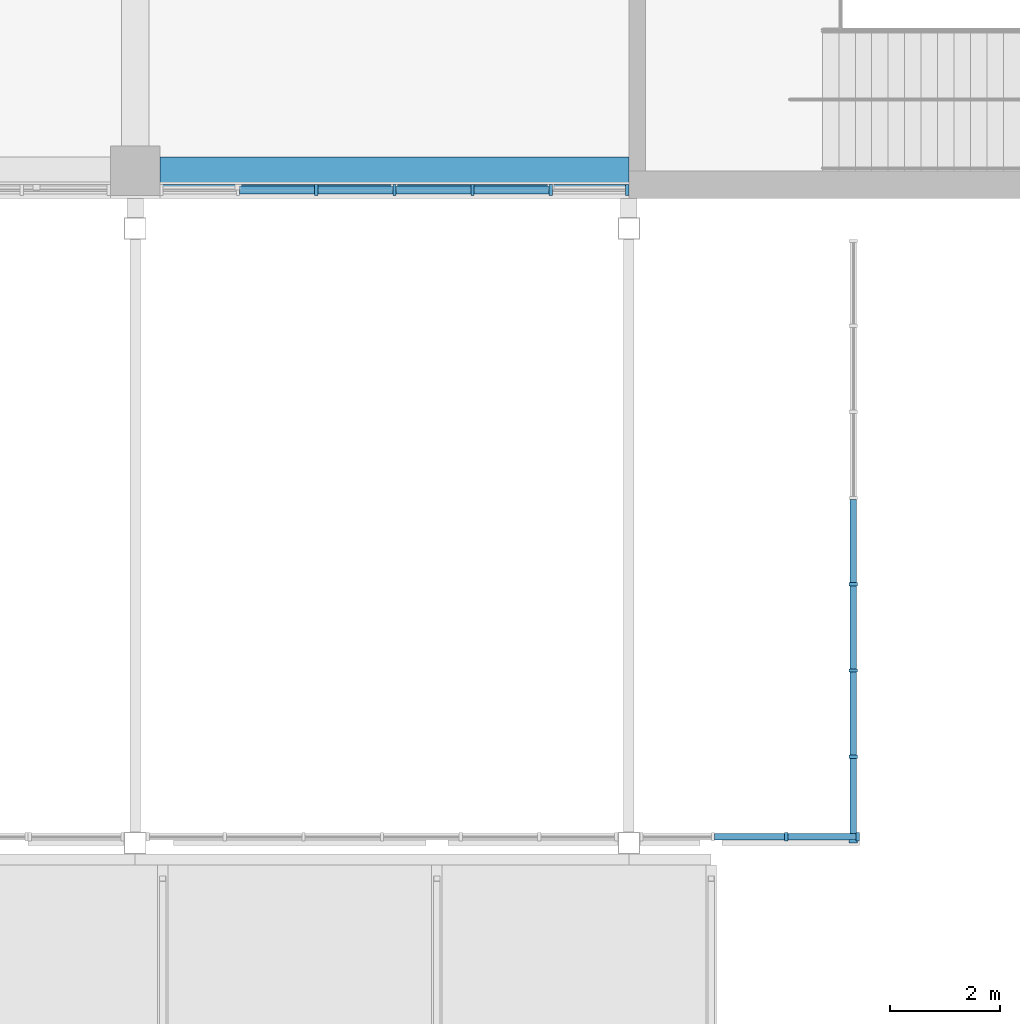
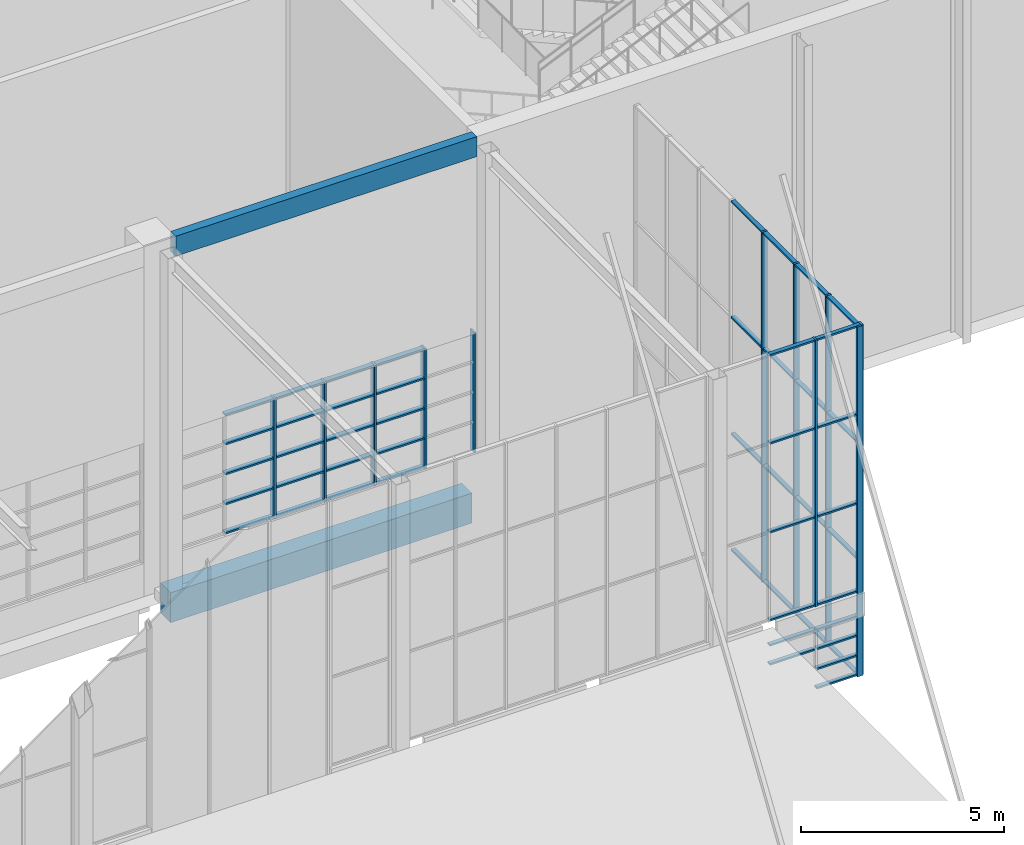
# One storey, part 39 of 182: 62 members, 2 beams, 4 elements without a shape of their own.
"""IFC4 building model written with IfcOpenShell, lengths in metres."""

from ifc_helpers import new_model, si_unit, direction, frame, origin, origin_2d, place, context, subcontext, project, spatial, rectangle, extrude, material, material_profile, profile_set, type_object, element, aggregate, save


model = new_model("IFC4")

# Units and contexts
model_context = context("Model", 3, precision=1e-05, world=origin(), true_north=direction((0.0, 1.0)))
body_context = subcontext(model_context, "Body", "Model", "MODEL_VIEW")
ifc_project = project(units=[si_unit("LENGTHUNIT", "METRE"), si_unit("AREAUNIT", "SQUARE_METRE"), si_unit("VOLUMEUNIT", "CUBIC_METRE"), si_unit("PLANEANGLEUNIT", "RADIAN"), si_unit("MASSUNIT", "GRAM", prefix="KILO")], contexts=[model_context])

# Site, building, storey
site_placement = place(None, origin())
site = spatial("IfcSite", under=ifc_project, at=site_placement, CompositionType="ELEMENT")
building_placement = place(site_placement, origin())
building = spatial("IfcBuilding", under=site, at=building_placement, Name="Silverbay Arena", CompositionType="ELEMENT")
storey_placement = place(building_placement, frame((0.0, 0.0, 11.5)))
storey = spatial("IfcBuildingStorey", under=building, at=storey_placement, Name="L02", CompositionType="ELEMENT", Elevation=11.5)

# Curtain wall, member
ifc_material_1 = material(Name="Aluminium framed curtain wall", Category="aluminium")
curtain_wall_type_1 = type_object("IfcCurtainWallType", Name="Curtain wall 4000 x 1800", PredefinedType="NOTDEFINED", material=ifc_material_1)
curtain_wall_1_placement = place(storey_placement, origin())
curtain_wall_1 = element("IfcCurtainWall", 1, at=curtain_wall_1_placement, inside=storey, type_object=curtain_wall_type_1, Name="South entrance hall S1 glazing F-b", PredefinedType="NOTDEFINED")
ifc_material_2 = material(Name="Aluminium", Category="aluminium")
ifc_material_profile_1 = material_profile(ifc_material_2, rectangle(XDim=0.159912109375, YDim=0.06005859375, at=origin_2d()), Name="Mullion 60 x 160")
ifc_profile_set_1 = profile_set([ifc_material_profile_1], Name="Aluminium")
member_type_1 = type_object("IfcMemberType", Name="Mullion 60 x 160", PredefinedType="MULLION", material=ifc_profile_set_1)
member_1_placement = place(storey_placement, frame((148.169921875, 5.860107421875, 0.0), z_axis=(0.0, 0.0, 1.0), x_axis=(0.0, 1.0, 0.0)))
member_1 = element("IfcMember", 2, at=member_1_placement, type_object=member_type_1, Name="CW33 mullion 4", PredefinedType="MULLION", context=body_context, shape_type="SweptSolid", body=[
    extrude(rectangle(XDim=0.159912109375, YDim=0.06005859375, at=origin_2d()), origin(), (0.0, 0.0, 1.0), 1.800048828125),
])

# Curtain wall, members
ifc_material_3 = material(Name="Aluminium framed curtain wall", Category="aluminium")
curtain_wall_type_2 = type_object("IfcCurtainWallType", Name="Curtain wall 4000 x 8000", PredefinedType="NOTDEFINED", material=ifc_material_3)
curtain_wall_2_placement = place(storey_placement, origin())
curtain_wall_2 = element("IfcCurtainWall", 3, at=curtain_wall_2_placement, inside=storey, type_object=curtain_wall_type_2, Name="South entrance hall S1 glazing F-b", PredefinedType="NOTDEFINED")
member_2_placement = place(storey_placement, frame((146.86669921875, 5.860107421875, 2.5), z_axis=(0.0, 0.0, 1.0), x_axis=(0.0, 1.0, 0.0)))
member_2 = element("IfcMember", 4, at=member_2_placement, type_object=member_type_1, Name="CW34 mullion 3", PredefinedType="MULLION", context=body_context, shape_type="SweptSolid", body=[
    extrude(rectangle(XDim=0.159912109375, YDim=0.06005859375, at=origin_2d()), origin(), (0.0, 0.0, 1.0), 8.0),
])
member_3_placement = place(storey_placement, frame((148.169921875, 5.860107421875, 2.5), z_axis=(0.0, 0.0, 1.0), x_axis=(0.0, 1.0, 0.0)))
member_3 = element("IfcMember", 5, at=member_3_placement, type_object=member_type_1, Name="CW34 mullion 4", PredefinedType="MULLION", context=body_context, shape_type="SweptSolid", body=[
    extrude(rectangle(XDim=0.159912109375, YDim=0.06005859375, at=origin_2d()), origin(), (0.0, 0.0, 1.0), 8.0),
])

ifc_material_4 = material(Name="Aluminium framed curtain wall", Category="aluminium")
curtain_wall_type_3 = type_object("IfcCurtainWallType", Name="Curtain wall 11000 x 10500", PredefinedType="NOTDEFINED", material=ifc_material_4)
curtain_wall_3_placement = place(storey_placement, origin())
curtain_wall_3 = element("IfcCurtainWall", 6, at=curtain_wall_3_placement, inside=storey, type_object=curtain_wall_type_3, Name="South entrance hall S1 glazing SB", PredefinedType="NOTDEFINED")
member_4_placement = place(storey_placement, frame((148.090087890625, 5.780029296875, 0.0), z_axis=(0.0, 0.0, 1.0), x_axis=(-1.0, 0.0, 0.0)))
member_4 = element("IfcMember", 7, at=member_4_placement, type_object=member_type_1, Name="CW37 mullion 1", PredefinedType="MULLION", context=body_context, shape_type="SweptSolid", body=[
    extrude(rectangle(XDim=0.159912109375, YDim=0.06005859375, at=origin_2d()), origin(), (0.0, 0.0, 1.0), 10.5),
])
member_5_placement = place(storey_placement, frame((148.090087890625, 7.321533203125, 0.0), z_axis=(0.0, 0.0, 1.0), x_axis=(-1.0, 0.0, 0.0)))
member_5 = element("IfcMember", 8, at=member_5_placement, type_object=member_type_1, Name="CW37 mullion 2", PredefinedType="MULLION", context=body_context, shape_type="SweptSolid", body=[
    extrude(rectangle(XDim=0.159912109375, YDim=0.06005859375, at=origin_2d()), origin(), (0.0, 0.0, 1.0), 10.5),
])
member_6_placement = place(storey_placement, frame((148.090087890625, 8.892822265625, 0.0), z_axis=(0.0, 0.0, 1.0), x_axis=(-1.0, 0.0, 0.0)))
member_6 = element("IfcMember", 9, at=member_6_placement, type_object=member_type_1, Name="CW37 mullion 3", PredefinedType="MULLION", context=body_context, shape_type="SweptSolid", body=[
    extrude(rectangle(XDim=0.159912109375, YDim=0.06005859375, at=origin_2d()), origin(), (0.0, 0.0, 1.0), 10.5),
])
member_7_placement = place(storey_placement, frame((148.090087890625, 10.46435546875, 0.0), z_axis=(0.0, 0.0, 1.0), x_axis=(-1.0, 0.0, 0.0)))
member_7 = element("IfcMember", 10, at=member_7_placement, type_object=member_type_1, Name="CW37 mullion 4", PredefinedType="MULLION", context=body_context, shape_type="SweptSolid", body=[
    extrude(rectangle(XDim=0.159912109375, YDim=0.06005859375, at=origin_2d()), origin(), (0.0, 0.0, 1.0), 10.5),
])

ifc_material_5 = material(Name="Aluminium framed curtain wall", Category="aluminium")
curtain_wall_type_4 = type_object("IfcCurtainWallType", Name="Curtain wall 8550 x 3600", PredefinedType="NOTDEFINED", material=ifc_material_5)
curtain_wall_4_placement = place(storey_placement, origin())
curtain_wall_4 = element("IfcCurtainWall", 11, at=curtain_wall_4_placement, inside=storey, type_object=curtain_wall_type_4, Name="South curtain wall L02 bay 10", PredefinedType="NOTDEFINED")
ifc_material_6 = material(Name="Aluminium", Category="aluminium")
ifc_material_profile_2 = material_profile(ifc_material_6, rectangle(XDim=0.199951171875, YDim=0.06005859375, at=origin_2d()), Name="Mullion 60 x 200")
ifc_profile_set_2 = profile_set([ifc_material_profile_2], Name="Aluminium")
member_type_2 = type_object("IfcMemberType", Name="Mullion 60 x 200", PredefinedType="MULLION", material=ifc_profile_set_2)
member_8_placement = place(storey_placement, frame((138.300048828125, 17.64990234375, 1.0), z_axis=(0.0, 0.0, 1.0), x_axis=(0.0, 1.0, 0.0)))
member_8 = element("IfcMember", 12, at=member_8_placement, type_object=member_type_2, Name="CW10 mullion 3", PredefinedType="MULLION", context=body_context, shape_type="SweptSolid", body=[
    extrude(rectangle(XDim=0.199951171875, YDim=0.06005859375, at=origin_2d()), origin(), (0.0, 0.0, 1.0), 3.60009765625),
])
member_9_placement = place(storey_placement, frame((139.72509765625, 17.64990234375, 1.0), z_axis=(0.0, 0.0, 1.0), x_axis=(0.0, 1.0, 0.0)))
member_9 = element("IfcMember", 13, at=member_9_placement, type_object=member_type_2, Name="CW10 mullion 4", PredefinedType="MULLION", context=body_context, shape_type="SweptSolid", body=[
    extrude(rectangle(XDim=0.199951171875, YDim=0.06005859375, at=origin_2d()), origin(), (0.0, 0.0, 1.0), 3.60009765625),
])
member_10_placement = place(storey_placement, frame((141.14990234375, 17.64990234375, 1.0), z_axis=(0.0, 0.0, 1.0), x_axis=(0.0, 1.0, 0.0)))
member_10 = element("IfcMember", 14, at=member_10_placement, type_object=member_type_2, Name="CW10 mullion 5", PredefinedType="MULLION", context=body_context, shape_type="SweptSolid", body=[
    extrude(rectangle(XDim=0.199951171875, YDim=0.06005859375, at=origin_2d()), origin(), (0.0, 0.0, 1.0), 3.60009765625),
])
member_11_placement = place(storey_placement, frame((142.574951171875, 17.64990234375, 1.0), z_axis=(0.0, 0.0, 1.0), x_axis=(0.0, 1.0, 0.0)))
member_11 = element("IfcMember", 15, at=member_11_placement, type_object=member_type_2, Name="CW10 mullion 6", PredefinedType="MULLION", context=body_context, shape_type="SweptSolid", body=[
    extrude(rectangle(XDim=0.199951171875, YDim=0.06005859375, at=origin_2d()), origin(), (0.0, 0.0, 1.0), 3.60009765625),
])
member_12_placement = place(storey_placement, frame((143.969970703125, 17.64990234375, 1.0), z_axis=(0.0, 0.0, 1.0), x_axis=(0.0, 1.0, 0.0)))
member_12 = element("IfcMember", 16, at=member_12_placement, type_object=member_type_2, Name="CW10 mullion 7", PredefinedType="MULLION", context=body_context, shape_type="SweptSolid", body=[
    extrude(rectangle(XDim=0.199951171875, YDim=0.06005859375, at=origin_2d()), origin(), (0.0, 0.0, 1.0), 3.60009765625),
])

# Beams
ifc_material_7 = material(Name="Concrete Grade C45", Category="concrete")
ifc_material_profile_3 = material_profile(ifc_material_7, rectangle(XDim=0.5, YDim=0.89990234375, at=origin_2d()), Name="RC 500x900")
ifc_profile_set_3 = profile_set([ifc_material_profile_3], Name="Concrete Grade C45")
beam_type_1 = type_object("IfcBeamType", Name="RC beam 500x900", PredefinedType="BEAM", material=ifc_profile_set_3)
beam_1_placement = place(storey_placement, frame((135.449951171875, 18.0, -0.800048828125), z_axis=(1.0, 0.0, 0.0), x_axis=(0.0, 1.0, 0.0)))
element("IfcBeam", 17, at=beam_1_placement, inside=storey, type_object=beam_type_1, Name="Floor beam L02 006", PredefinedType="BEAM", context=body_context, shape_type="SweptSolid", body=[
    extrude(rectangle(XDim=0.5, YDim=0.89990234375, at=origin_2d()), origin(), (0.0, 0.0, 1.0), 8.550048828125),
])
ifc_material_8 = material(Name="Concrete Grade C45", Category="concrete")
ifc_material_profile_4 = material_profile(ifc_material_8, rectangle(XDim=0.25, YDim=0.60009765625, at=origin_2d()), Name="RC 250x600")
ifc_profile_set_4 = profile_set([ifc_material_profile_4], Name="Concrete Grade C45")
beam_type_2 = type_object("IfcBeamType", Name="RC facade beam 250x600", PredefinedType="SPANDREL", material=ifc_profile_set_4)
beam_2_placement = place(storey_placement, frame((135.449951171875, 17.625, 10.199951171875), z_axis=(1.0, 0.0, 0.0), x_axis=(0.0, 1.0, 0.0)))
element("IfcBeam", 18, at=beam_2_placement, inside=storey, type_object=beam_type_2, Name="Facade beam L02 south", PredefinedType="SPANDREL", context=body_context, shape_type="SweptSolid", body=[
    extrude(rectangle(XDim=0.25, YDim=0.60009765625, at=origin_2d()), origin(), (0.0, 0.0, 1.0), 8.550048828125),
])

# Member
ifc_material_9 = material(Name="Aluminium", Category="aluminium")
ifc_material_profile_5 = material_profile(ifc_material_9, rectangle(XDim=0.1201171875, YDim=0.050048828125, at=origin_2d()), Name="Transom 50 x 120")
ifc_profile_set_5 = profile_set([ifc_material_profile_5], Name="Aluminium")
member_type_3 = type_object("IfcMemberType", Name="Transom 50 x 120", PredefinedType="USERDEFINED", material=ifc_profile_set_5)
member_13_placement = place(storey_placement, frame((145.563232421875, 5.860107421875, 1.199951171875), z_axis=(1.0, 0.0, 0.0), x_axis=(0.0, 1.0, 0.0)))
member_13 = element("IfcMember", 19, at=member_13_placement, type_object=member_type_3, Name="CW33 transom 2.3", ObjectType="TRANSOM", PredefinedType="USERDEFINED", context=body_context, shape_type="SweptSolid", body=[
    extrude(rectangle(XDim=0.1201171875, YDim=0.050048828125, at=origin_2d()), origin(), (0.0, 0.0, 1.0), 1.2734375),
])

member_14_placement = place(storey_placement, frame((145.563232421875, 5.860107421875, 1.77490234375), z_axis=(1.0, 0.0, 0.0), x_axis=(0.0, 1.0, 0.0)))
member_14 = element("IfcMember", 20, at=member_14_placement, type_object=member_type_3, Name="CW33 transom 2.4", ObjectType="TRANSOM", PredefinedType="USERDEFINED", context=body_context, shape_type="SweptSolid", body=[
    extrude(rectangle(XDim=0.1201171875, YDim=0.050048828125, at=origin_2d()), origin(), (0.0, 0.0, 1.0), 1.2734375),
])

member_15_placement = place(storey_placement, frame((146.896728515625, 5.860107421875, 0.02490234375), z_axis=(1.0, 0.0, 0.0), x_axis=(0.0, 1.0, 0.0)))
member_15 = element("IfcMember", 21, at=member_15_placement, type_object=member_type_3, Name="CW33 transom 3.1", ObjectType="TRANSOM", PredefinedType="USERDEFINED", context=body_context, shape_type="SweptSolid", body=[
    extrude(rectangle(XDim=0.1201171875, YDim=0.050048828125, at=origin_2d()), origin(), (0.0, 0.0, 1.0), 1.2431640625),
])

member_16_placement = place(storey_placement, frame((146.896728515625, 5.860107421875, 0.60009765625), z_axis=(1.0, 0.0, 0.0), x_axis=(0.0, 1.0, 0.0)))
member_16 = element("IfcMember", 22, at=member_16_placement, type_object=member_type_3, Name="CW33 transom 3.2", ObjectType="TRANSOM", PredefinedType="USERDEFINED", context=body_context, shape_type="SweptSolid", body=[
    extrude(rectangle(XDim=0.1201171875, YDim=0.050048828125, at=origin_2d()), origin(), (0.0, 0.0, 1.0), 1.2431640625),
])

member_17_placement = place(storey_placement, frame((146.896728515625, 5.860107421875, 1.199951171875), z_axis=(1.0, 0.0, 0.0), x_axis=(0.0, 1.0, 0.0)))
member_17 = element("IfcMember", 23, at=member_17_placement, type_object=member_type_3, Name="CW33 transom 3.3", ObjectType="TRANSOM", PredefinedType="USERDEFINED", context=body_context, shape_type="SweptSolid", body=[
    extrude(rectangle(XDim=0.1201171875, YDim=0.050048828125, at=origin_2d()), origin(), (0.0, 0.0, 1.0), 1.2431640625),
])

member_18_placement = place(storey_placement, frame((146.896728515625, 5.860107421875, 1.77490234375), z_axis=(1.0, 0.0, 0.0), x_axis=(0.0, 1.0, 0.0)))
member_18 = element("IfcMember", 24, at=member_18_placement, type_object=member_type_3, Name="CW33 transom 3.4", ObjectType="TRANSOM", PredefinedType="USERDEFINED", context=body_context, shape_type="SweptSolid", body=[
    extrude(rectangle(XDim=0.1201171875, YDim=0.050048828125, at=origin_2d()), origin(), (0.0, 0.0, 1.0), 1.2431640625),
])

aggregate(curtain_wall_1, [member_1, member_13, member_14, member_15, member_16, member_17, member_18])

member_19_placement = place(storey_placement, frame((145.563232421875, 5.860107421875, 2.52490234375), z_axis=(1.0, 0.0, 0.0), x_axis=(0.0, 1.0, 0.0)))
member_19 = element("IfcMember", 25, at=member_19_placement, type_object=member_type_3, Name="CW34 transom 2.1", ObjectType="TRANSOM", PredefinedType="USERDEFINED", context=body_context, shape_type="SweptSolid", body=[
    extrude(rectangle(XDim=0.1201171875, YDim=0.050048828125, at=origin_2d()), origin(), (0.0, 0.0, 1.0), 1.2734375),
])

member_20_placement = place(storey_placement, frame((145.563232421875, 5.860107421875, 5.166748046875), z_axis=(1.0, 0.0, 0.0), x_axis=(0.0, 1.0, 0.0)))
member_20 = element("IfcMember", 26, at=member_20_placement, type_object=member_type_3, Name="CW34 transom 2.2", ObjectType="TRANSOM", PredefinedType="USERDEFINED", context=body_context, shape_type="SweptSolid", body=[
    extrude(rectangle(XDim=0.1201171875, YDim=0.050048828125, at=origin_2d()), origin(), (0.0, 0.0, 1.0), 1.2734375),
])

member_21_placement = place(storey_placement, frame((145.563232421875, 5.860107421875, 7.833251953125), z_axis=(1.0, 0.0, 0.0), x_axis=(0.0, 1.0, 0.0)))
member_21 = element("IfcMember", 27, at=member_21_placement, type_object=member_type_3, Name="CW34 transom 2.3", ObjectType="TRANSOM", PredefinedType="USERDEFINED", context=body_context, shape_type="SweptSolid", body=[
    extrude(rectangle(XDim=0.1201171875, YDim=0.050048828125, at=origin_2d()), origin(), (0.0, 0.0, 1.0), 1.2734375),
])

member_22_placement = place(storey_placement, frame((145.563232421875, 5.860107421875, 10.47509765625), z_axis=(1.0, 0.0, 0.0), x_axis=(0.0, 1.0, 0.0)))
member_22 = element("IfcMember", 28, at=member_22_placement, type_object=member_type_3, Name="CW34 transom 2.4", ObjectType="TRANSOM", PredefinedType="USERDEFINED", context=body_context, shape_type="SweptSolid", body=[
    extrude(rectangle(XDim=0.1201171875, YDim=0.050048828125, at=origin_2d()), origin(), (0.0, 0.0, 1.0), 1.2734375),
])

member_23_placement = place(storey_placement, frame((146.896728515625, 5.860107421875, 2.52490234375), z_axis=(1.0, 0.0, 0.0), x_axis=(0.0, 1.0, 0.0)))
member_23 = element("IfcMember", 29, at=member_23_placement, type_object=member_type_3, Name="CW34 transom 3.1", ObjectType="TRANSOM", PredefinedType="USERDEFINED", context=body_context, shape_type="SweptSolid", body=[
    extrude(rectangle(XDim=0.1201171875, YDim=0.050048828125, at=origin_2d()), origin(), (0.0, 0.0, 1.0), 1.2431640625),
])

member_24_placement = place(storey_placement, frame((146.896728515625, 5.860107421875, 5.166748046875), z_axis=(1.0, 0.0, 0.0), x_axis=(0.0, 1.0, 0.0)))
member_24 = element("IfcMember", 30, at=member_24_placement, type_object=member_type_3, Name="CW34 transom 3.2", ObjectType="TRANSOM", PredefinedType="USERDEFINED", context=body_context, shape_type="SweptSolid", body=[
    extrude(rectangle(XDim=0.1201171875, YDim=0.050048828125, at=origin_2d()), origin(), (0.0, 0.0, 1.0), 1.2431640625),
])

member_25_placement = place(storey_placement, frame((146.896728515625, 5.860107421875, 7.833251953125), z_axis=(1.0, 0.0, 0.0), x_axis=(0.0, 1.0, 0.0)))
member_25 = element("IfcMember", 31, at=member_25_placement, type_object=member_type_3, Name="CW34 transom 3.3", ObjectType="TRANSOM", PredefinedType="USERDEFINED", context=body_context, shape_type="SweptSolid", body=[
    extrude(rectangle(XDim=0.1201171875, YDim=0.050048828125, at=origin_2d()), origin(), (0.0, 0.0, 1.0), 1.2431640625),
])

member_26_placement = place(storey_placement, frame((146.896728515625, 5.860107421875, 10.47509765625), z_axis=(1.0, 0.0, 0.0), x_axis=(0.0, 1.0, 0.0)))
member_26 = element("IfcMember", 32, at=member_26_placement, type_object=member_type_3, Name="CW34 transom 3.4", ObjectType="TRANSOM", PredefinedType="USERDEFINED", context=body_context, shape_type="SweptSolid", body=[
    extrude(rectangle(XDim=0.1201171875, YDim=0.050048828125, at=origin_2d()), origin(), (0.0, 0.0, 1.0), 1.2431640625),
])

aggregate(curtain_wall_2, [member_2, member_3, member_19, member_20, member_21, member_22, member_23, member_24, member_25, member_26])

member_27_placement = place(storey_placement, frame((148.090087890625, 5.81005859375, 0.02490234375), z_axis=(0.0, 1.0, 0.0), x_axis=(-1.0, 0.0, 0.0)))
member_27 = element("IfcMember", 33, at=member_27_placement, type_object=member_type_3, Name="CW37 transom 1.1", ObjectType="TRANSOM", PredefinedType="USERDEFINED", context=body_context, shape_type="SweptSolid", body=[
    extrude(rectangle(XDim=0.1201171875, YDim=0.050048828125, at=origin_2d()), origin(), (0.0, 0.0, 1.0), 1.4814453125),
])

member_28_placement = place(storey_placement, frame((148.090087890625, 5.81005859375, 3.5), z_axis=(0.0, 1.0, 0.0), x_axis=(-1.0, 0.0, 0.0)))
member_28 = element("IfcMember", 34, at=member_28_placement, type_object=member_type_3, Name="CW37 transom 1.2", ObjectType="TRANSOM", PredefinedType="USERDEFINED", context=body_context, shape_type="SweptSolid", body=[
    extrude(rectangle(XDim=0.1201171875, YDim=0.050048828125, at=origin_2d()), origin(), (0.0, 0.0, 1.0), 1.4814453125),
])

member_29_placement = place(storey_placement, frame((148.090087890625, 5.81005859375, 7.0), z_axis=(0.0, 1.0, 0.0), x_axis=(-1.0, 0.0, 0.0)))
member_29 = element("IfcMember", 35, at=member_29_placement, type_object=member_type_3, Name="CW37 transom 1.3", ObjectType="TRANSOM", PredefinedType="USERDEFINED", context=body_context, shape_type="SweptSolid", body=[
    extrude(rectangle(XDim=0.1201171875, YDim=0.050048828125, at=origin_2d()), origin(), (0.0, 0.0, 1.0), 1.4814453125),
])

member_30_placement = place(storey_placement, frame((148.090087890625, 5.81005859375, 10.47509765625), z_axis=(0.0, 1.0, 0.0), x_axis=(-1.0, 0.0, 0.0)))
member_30 = element("IfcMember", 36, at=member_30_placement, type_object=member_type_3, Name="CW37 transom 1.4", ObjectType="TRANSOM", PredefinedType="USERDEFINED", context=body_context, shape_type="SweptSolid", body=[
    extrude(rectangle(XDim=0.1201171875, YDim=0.050048828125, at=origin_2d()), origin(), (0.0, 0.0, 1.0), 1.4814453125),
])

member_31_placement = place(storey_placement, frame((148.090087890625, 7.351318359375, 0.02490234375), z_axis=(0.0, 1.0, 0.0), x_axis=(-1.0, 0.0, 0.0)))
member_31 = element("IfcMember", 37, at=member_31_placement, type_object=member_type_3, Name="CW37 transom 2.1", ObjectType="TRANSOM", PredefinedType="USERDEFINED", context=body_context, shape_type="SweptSolid", body=[
    extrude(rectangle(XDim=0.1201171875, YDim=0.050048828125, at=origin_2d()), origin(), (0.0, 0.0, 1.0), 1.511474609375),
])

member_32_placement = place(storey_placement, frame((148.090087890625, 7.351318359375, 3.5), z_axis=(0.0, 1.0, 0.0), x_axis=(-1.0, 0.0, 0.0)))
member_32 = element("IfcMember", 38, at=member_32_placement, type_object=member_type_3, Name="CW37 transom 2.2", ObjectType="TRANSOM", PredefinedType="USERDEFINED", context=body_context, shape_type="SweptSolid", body=[
    extrude(rectangle(XDim=0.1201171875, YDim=0.050048828125, at=origin_2d()), origin(), (0.0, 0.0, 1.0), 1.511474609375),
])

member_33_placement = place(storey_placement, frame((148.090087890625, 7.351318359375, 7.0), z_axis=(0.0, 1.0, 0.0), x_axis=(-1.0, 0.0, 0.0)))
member_33 = element("IfcMember", 39, at=member_33_placement, type_object=member_type_3, Name="CW37 transom 2.3", ObjectType="TRANSOM", PredefinedType="USERDEFINED", context=body_context, shape_type="SweptSolid", body=[
    extrude(rectangle(XDim=0.1201171875, YDim=0.050048828125, at=origin_2d()), origin(), (0.0, 0.0, 1.0), 1.511474609375),
])

member_34_placement = place(storey_placement, frame((148.090087890625, 7.351318359375, 10.47509765625), z_axis=(0.0, 1.0, 0.0), x_axis=(-1.0, 0.0, 0.0)))
member_34 = element("IfcMember", 40, at=member_34_placement, type_object=member_type_3, Name="CW37 transom 2.4", ObjectType="TRANSOM", PredefinedType="USERDEFINED", context=body_context, shape_type="SweptSolid", body=[
    extrude(rectangle(XDim=0.1201171875, YDim=0.050048828125, at=origin_2d()), origin(), (0.0, 0.0, 1.0), 1.511474609375),
])

member_35_placement = place(storey_placement, frame((148.090087890625, 8.9228515625, 0.02490234375), z_axis=(0.0, 1.0, 0.0), x_axis=(-1.0, 0.0, 0.0)))
member_35 = element("IfcMember", 41, at=member_35_placement, type_object=member_type_3, Name="CW37 transom 3.1", ObjectType="TRANSOM", PredefinedType="USERDEFINED", context=body_context, shape_type="SweptSolid", body=[
    extrude(rectangle(XDim=0.1201171875, YDim=0.050048828125, at=origin_2d()), origin(), (0.0, 0.0, 1.0), 1.511474609375),
])

member_36_placement = place(storey_placement, frame((148.090087890625, 8.9228515625, 3.5), z_axis=(0.0, 1.0, 0.0), x_axis=(-1.0, 0.0, 0.0)))
member_36 = element("IfcMember", 42, at=member_36_placement, type_object=member_type_3, Name="CW37 transom 3.2", ObjectType="TRANSOM", PredefinedType="USERDEFINED", context=body_context, shape_type="SweptSolid", body=[
    extrude(rectangle(XDim=0.1201171875, YDim=0.050048828125, at=origin_2d()), origin(), (0.0, 0.0, 1.0), 1.511474609375),
])

member_37_placement = place(storey_placement, frame((148.090087890625, 8.9228515625, 7.0), z_axis=(0.0, 1.0, 0.0), x_axis=(-1.0, 0.0, 0.0)))
member_37 = element("IfcMember", 43, at=member_37_placement, type_object=member_type_3, Name="CW37 transom 3.3", ObjectType="TRANSOM", PredefinedType="USERDEFINED", context=body_context, shape_type="SweptSolid", body=[
    extrude(rectangle(XDim=0.1201171875, YDim=0.050048828125, at=origin_2d()), origin(), (0.0, 0.0, 1.0), 1.511474609375),
])

member_38_placement = place(storey_placement, frame((148.090087890625, 8.9228515625, 10.47509765625), z_axis=(0.0, 1.0, 0.0), x_axis=(-1.0, 0.0, 0.0)))
member_38 = element("IfcMember", 44, at=member_38_placement, type_object=member_type_3, Name="CW37 transom 3.4", ObjectType="TRANSOM", PredefinedType="USERDEFINED", context=body_context, shape_type="SweptSolid", body=[
    extrude(rectangle(XDim=0.1201171875, YDim=0.050048828125, at=origin_2d()), origin(), (0.0, 0.0, 1.0), 1.511474609375),
])

member_39_placement = place(storey_placement, frame((148.090087890625, 10.494384765625, 0.02490234375), z_axis=(0.0, 1.0, 0.0), x_axis=(-1.0, 0.0, 0.0)))
member_39 = element("IfcMember", 45, at=member_39_placement, type_object=member_type_3, Name="CW37 transom 4.1", ObjectType="TRANSOM", PredefinedType="USERDEFINED", context=body_context, shape_type="SweptSolid", body=[
    extrude(rectangle(XDim=0.1201171875, YDim=0.050048828125, at=origin_2d()), origin(), (0.0, 0.0, 1.0), 1.51123046875),
])

member_40_placement = place(storey_placement, frame((148.090087890625, 10.494384765625, 3.5), z_axis=(0.0, 1.0, 0.0), x_axis=(-1.0, 0.0, 0.0)))
member_40 = element("IfcMember", 46, at=member_40_placement, type_object=member_type_3, Name="CW37 transom 4.2", ObjectType="TRANSOM", PredefinedType="USERDEFINED", context=body_context, shape_type="SweptSolid", body=[
    extrude(rectangle(XDim=0.1201171875, YDim=0.050048828125, at=origin_2d()), origin(), (0.0, 0.0, 1.0), 1.51123046875),
])

member_41_placement = place(storey_placement, frame((148.090087890625, 10.494384765625, 7.0), z_axis=(0.0, 1.0, 0.0), x_axis=(-1.0, 0.0, 0.0)))
member_41 = element("IfcMember", 47, at=member_41_placement, type_object=member_type_3, Name="CW37 transom 4.3", ObjectType="TRANSOM", PredefinedType="USERDEFINED", context=body_context, shape_type="SweptSolid", body=[
    extrude(rectangle(XDim=0.1201171875, YDim=0.050048828125, at=origin_2d()), origin(), (0.0, 0.0, 1.0), 1.51123046875),
])

member_42_placement = place(storey_placement, frame((148.090087890625, 10.494384765625, 10.47509765625), z_axis=(0.0, 1.0, 0.0), x_axis=(-1.0, 0.0, 0.0)))
member_42 = element("IfcMember", 48, at=member_42_placement, type_object=member_type_3, Name="CW37 transom 4.4", ObjectType="TRANSOM", PredefinedType="USERDEFINED", context=body_context, shape_type="SweptSolid", body=[
    extrude(rectangle(XDim=0.1201171875, YDim=0.050048828125, at=origin_2d()), origin(), (0.0, 0.0, 1.0), 1.51123046875),
])

aggregate(curtain_wall_3, [member_4, member_5, member_6, member_7, member_27, member_28, member_29, member_30, member_31, member_32, member_33, member_34, member_35, member_36, member_37, member_38, member_39, member_40, member_41, member_42])

ifc_material_10 = material(Name="Aluminium", Category="aluminium")
ifc_material_profile_6 = material_profile(ifc_material_10, rectangle(XDim=0.14990234375, YDim=0.050048828125, at=origin_2d()), Name="Transom 50 x 150")
ifc_profile_set_6 = profile_set([ifc_material_profile_6], Name="Aluminium")
member_type_4 = type_object("IfcMemberType", Name="Transom 50 x 150", PredefinedType="USERDEFINED", material=ifc_profile_set_6)
member_43_placement = place(storey_placement, frame((136.905029296875, 17.64990234375, 1.02490234375), z_axis=(1.0, 0.0, 0.0), x_axis=(0.0, 1.0, 0.0)))
member_43 = element("IfcMember", 49, at=member_43_placement, type_object=member_type_4, Name="CW10 transom 2.1", ObjectType="TRANSOM", PredefinedType="USERDEFINED", context=body_context, shape_type="SweptSolid", body=[
    extrude(rectangle(XDim=0.14990234375, YDim=0.050048828125, at=origin_2d()), origin(), (0.0, 0.0, 1.0), 1.364990234375),
])

member_44_placement = place(storey_placement, frame((136.905029296875, 17.64990234375, 1.89990234375), z_axis=(1.0, 0.0, 0.0), x_axis=(0.0, 1.0, 0.0)))
member_44 = element("IfcMember", 50, at=member_44_placement, type_object=member_type_4, Name="CW10 transom 2.2", ObjectType="TRANSOM", PredefinedType="USERDEFINED", context=body_context, shape_type="SweptSolid", body=[
    extrude(rectangle(XDim=0.14990234375, YDim=0.050048828125, at=origin_2d()), origin(), (0.0, 0.0, 1.0), 1.364990234375),
])

member_45_placement = place(storey_placement, frame((136.905029296875, 17.64990234375, 2.800048828125), z_axis=(1.0, 0.0, 0.0), x_axis=(0.0, 1.0, 0.0)))
member_45 = element("IfcMember", 51, at=member_45_placement, type_object=member_type_4, Name="CW10 transom 2.3", ObjectType="TRANSOM", PredefinedType="USERDEFINED", context=body_context, shape_type="SweptSolid", body=[
    extrude(rectangle(XDim=0.14990234375, YDim=0.050048828125, at=origin_2d()), origin(), (0.0, 0.0, 1.0), 1.364990234375),
])

member_46_placement = place(storey_placement, frame((136.905029296875, 17.64990234375, 3.699951171875), z_axis=(1.0, 0.0, 0.0), x_axis=(0.0, 1.0, 0.0)))
member_46 = element("IfcMember", 52, at=member_46_placement, type_object=member_type_4, Name="CW10 transom 2.4", ObjectType="TRANSOM", PredefinedType="USERDEFINED", context=body_context, shape_type="SweptSolid", body=[
    extrude(rectangle(XDim=0.14990234375, YDim=0.050048828125, at=origin_2d()), origin(), (0.0, 0.0, 1.0), 1.364990234375),
])

member_47_placement = place(storey_placement, frame((136.905029296875, 17.64990234375, 4.574951171875), z_axis=(1.0, 0.0, 0.0), x_axis=(0.0, 1.0, 0.0)))
member_47 = element("IfcMember", 53, at=member_47_placement, type_object=member_type_4, Name="CW10 transom 2.5", ObjectType="TRANSOM", PredefinedType="USERDEFINED", context=body_context, shape_type="SweptSolid", body=[
    extrude(rectangle(XDim=0.14990234375, YDim=0.050048828125, at=origin_2d()), origin(), (0.0, 0.0, 1.0), 1.364990234375),
])

member_48_placement = place(storey_placement, frame((138.330078125, 17.64990234375, 1.02490234375), z_axis=(1.0, 0.0, 0.0), x_axis=(0.0, 1.0, 0.0)))
member_48 = element("IfcMember", 54, at=member_48_placement, type_object=member_type_4, Name="CW10 transom 3.1", ObjectType="TRANSOM", PredefinedType="USERDEFINED", context=body_context, shape_type="SweptSolid", body=[
    extrude(rectangle(XDim=0.14990234375, YDim=0.050048828125, at=origin_2d()), origin(), (0.0, 0.0, 1.0), 1.364990234375),
])

member_49_placement = place(storey_placement, frame((138.330078125, 17.64990234375, 1.89990234375), z_axis=(1.0, 0.0, 0.0), x_axis=(0.0, 1.0, 0.0)))
member_49 = element("IfcMember", 55, at=member_49_placement, type_object=member_type_4, Name="CW10 transom 3.2", ObjectType="TRANSOM", PredefinedType="USERDEFINED", context=body_context, shape_type="SweptSolid", body=[
    extrude(rectangle(XDim=0.14990234375, YDim=0.050048828125, at=origin_2d()), origin(), (0.0, 0.0, 1.0), 1.364990234375),
])

member_50_placement = place(storey_placement, frame((138.330078125, 17.64990234375, 2.800048828125), z_axis=(1.0, 0.0, 0.0), x_axis=(0.0, 1.0, 0.0)))
member_50 = element("IfcMember", 56, at=member_50_placement, type_object=member_type_4, Name="CW10 transom 3.3", ObjectType="TRANSOM", PredefinedType="USERDEFINED", context=body_context, shape_type="SweptSolid", body=[
    extrude(rectangle(XDim=0.14990234375, YDim=0.050048828125, at=origin_2d()), origin(), (0.0, 0.0, 1.0), 1.364990234375),
])

member_51_placement = place(storey_placement, frame((138.330078125, 17.64990234375, 3.699951171875), z_axis=(1.0, 0.0, 0.0), x_axis=(0.0, 1.0, 0.0)))
member_51 = element("IfcMember", 57, at=member_51_placement, type_object=member_type_4, Name="CW10 transom 3.4", ObjectType="TRANSOM", PredefinedType="USERDEFINED", context=body_context, shape_type="SweptSolid", body=[
    extrude(rectangle(XDim=0.14990234375, YDim=0.050048828125, at=origin_2d()), origin(), (0.0, 0.0, 1.0), 1.364990234375),
])

member_52_placement = place(storey_placement, frame((138.330078125, 17.64990234375, 4.574951171875), z_axis=(1.0, 0.0, 0.0), x_axis=(0.0, 1.0, 0.0)))
member_52 = element("IfcMember", 58, at=member_52_placement, type_object=member_type_4, Name="CW10 transom 3.5", ObjectType="TRANSOM", PredefinedType="USERDEFINED", context=body_context, shape_type="SweptSolid", body=[
    extrude(rectangle(XDim=0.14990234375, YDim=0.050048828125, at=origin_2d()), origin(), (0.0, 0.0, 1.0), 1.364990234375),
])

member_53_placement = place(storey_placement, frame((139.7548828125, 17.64990234375, 1.02490234375), z_axis=(1.0, 0.0, 0.0), x_axis=(0.0, 1.0, 0.0)))
member_53 = element("IfcMember", 59, at=member_53_placement, type_object=member_type_4, Name="CW10 transom 4.1", ObjectType="TRANSOM", PredefinedType="USERDEFINED", context=body_context, shape_type="SweptSolid", body=[
    extrude(rectangle(XDim=0.14990234375, YDim=0.050048828125, at=origin_2d()), origin(), (0.0, 0.0, 1.0), 1.365234375),
])

member_54_placement = place(storey_placement, frame((139.7548828125, 17.64990234375, 1.89990234375), z_axis=(1.0, 0.0, 0.0), x_axis=(0.0, 1.0, 0.0)))
member_54 = element("IfcMember", 60, at=member_54_placement, type_object=member_type_4, Name="CW10 transom 4.2", ObjectType="TRANSOM", PredefinedType="USERDEFINED", context=body_context, shape_type="SweptSolid", body=[
    extrude(rectangle(XDim=0.14990234375, YDim=0.050048828125, at=origin_2d()), origin(), (0.0, 0.0, 1.0), 1.365234375),
])

member_55_placement = place(storey_placement, frame((139.7548828125, 17.64990234375, 2.800048828125), z_axis=(1.0, 0.0, 0.0), x_axis=(0.0, 1.0, 0.0)))
member_55 = element("IfcMember", 61, at=member_55_placement, type_object=member_type_4, Name="CW10 transom 4.3", ObjectType="TRANSOM", PredefinedType="USERDEFINED", context=body_context, shape_type="SweptSolid", body=[
    extrude(rectangle(XDim=0.14990234375, YDim=0.050048828125, at=origin_2d()), origin(), (0.0, 0.0, 1.0), 1.365234375),
])

member_56_placement = place(storey_placement, frame((139.7548828125, 17.64990234375, 3.699951171875), z_axis=(1.0, 0.0, 0.0), x_axis=(0.0, 1.0, 0.0)))
member_56 = element("IfcMember", 62, at=member_56_placement, type_object=member_type_4, Name="CW10 transom 4.4", ObjectType="TRANSOM", PredefinedType="USERDEFINED", context=body_context, shape_type="SweptSolid", body=[
    extrude(rectangle(XDim=0.14990234375, YDim=0.050048828125, at=origin_2d()), origin(), (0.0, 0.0, 1.0), 1.365234375),
])

member_57_placement = place(storey_placement, frame((139.7548828125, 17.64990234375, 4.574951171875), z_axis=(1.0, 0.0, 0.0), x_axis=(0.0, 1.0, 0.0)))
member_57 = element("IfcMember", 63, at=member_57_placement, type_object=member_type_4, Name="CW10 transom 4.5", ObjectType="TRANSOM", PredefinedType="USERDEFINED", context=body_context, shape_type="SweptSolid", body=[
    extrude(rectangle(XDim=0.14990234375, YDim=0.050048828125, at=origin_2d()), origin(), (0.0, 0.0, 1.0), 1.365234375),
])

member_58_placement = place(storey_placement, frame((141.179931640625, 17.64990234375, 1.02490234375), z_axis=(1.0, 0.0, 0.0), x_axis=(0.0, 1.0, 0.0)))
member_58 = element("IfcMember", 64, at=member_58_placement, type_object=member_type_4, Name="CW10 transom 5.1", ObjectType="TRANSOM", PredefinedType="USERDEFINED", context=body_context, shape_type="SweptSolid", body=[
    extrude(rectangle(XDim=0.14990234375, YDim=0.050048828125, at=origin_2d()), origin(), (0.0, 0.0, 1.0), 1.364990234375),
])

member_59_placement = place(storey_placement, frame((141.179931640625, 17.64990234375, 1.89990234375), z_axis=(1.0, 0.0, 0.0), x_axis=(0.0, 1.0, 0.0)))
member_59 = element("IfcMember", 65, at=member_59_placement, type_object=member_type_4, Name="CW10 transom 5.2", ObjectType="TRANSOM", PredefinedType="USERDEFINED", context=body_context, shape_type="SweptSolid", body=[
    extrude(rectangle(XDim=0.14990234375, YDim=0.050048828125, at=origin_2d()), origin(), (0.0, 0.0, 1.0), 1.364990234375),
])

member_60_placement = place(storey_placement, frame((141.179931640625, 17.64990234375, 2.800048828125), z_axis=(1.0, 0.0, 0.0), x_axis=(0.0, 1.0, 0.0)))
member_60 = element("IfcMember", 66, at=member_60_placement, type_object=member_type_4, Name="CW10 transom 5.3", ObjectType="TRANSOM", PredefinedType="USERDEFINED", context=body_context, shape_type="SweptSolid", body=[
    extrude(rectangle(XDim=0.14990234375, YDim=0.050048828125, at=origin_2d()), origin(), (0.0, 0.0, 1.0), 1.364990234375),
])

member_61_placement = place(storey_placement, frame((141.179931640625, 17.64990234375, 3.699951171875), z_axis=(1.0, 0.0, 0.0), x_axis=(0.0, 1.0, 0.0)))
member_61 = element("IfcMember", 67, at=member_61_placement, type_object=member_type_4, Name="CW10 transom 5.4", ObjectType="TRANSOM", PredefinedType="USERDEFINED", context=body_context, shape_type="SweptSolid", body=[
    extrude(rectangle(XDim=0.14990234375, YDim=0.050048828125, at=origin_2d()), origin(), (0.0, 0.0, 1.0), 1.364990234375),
])

member_62_placement = place(storey_placement, frame((141.179931640625, 17.64990234375, 4.574951171875), z_axis=(1.0, 0.0, 0.0), x_axis=(0.0, 1.0, 0.0)))
member_62 = element("IfcMember", 68, at=member_62_placement, type_object=member_type_4, Name="CW10 transom 5.5", ObjectType="TRANSOM", PredefinedType="USERDEFINED", context=body_context, shape_type="SweptSolid", body=[
    extrude(rectangle(XDim=0.14990234375, YDim=0.050048828125, at=origin_2d()), origin(), (0.0, 0.0, 1.0), 1.364990234375),
])

aggregate(curtain_wall_4, [member_8, member_9, member_10, member_11, member_12, member_43, member_44, member_45, member_46, member_47, member_48, member_49, member_50, member_51, member_52, member_53, member_54, member_55, member_56, member_57, member_58, member_59, member_60, member_61, member_62])

save(model, "model.ifc")
